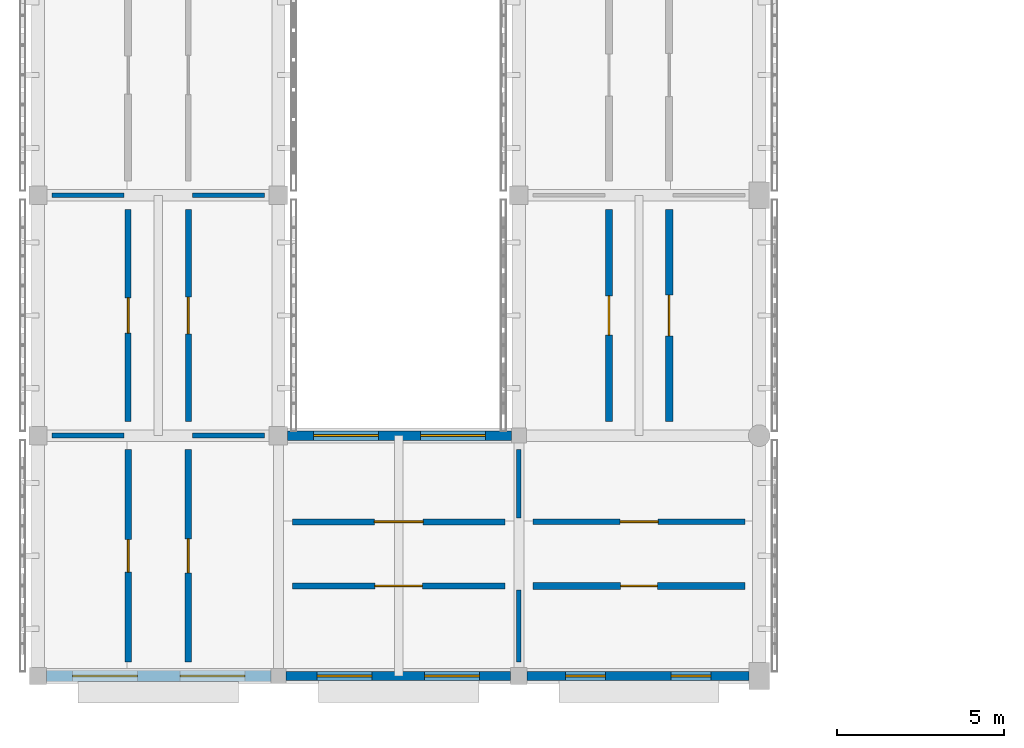
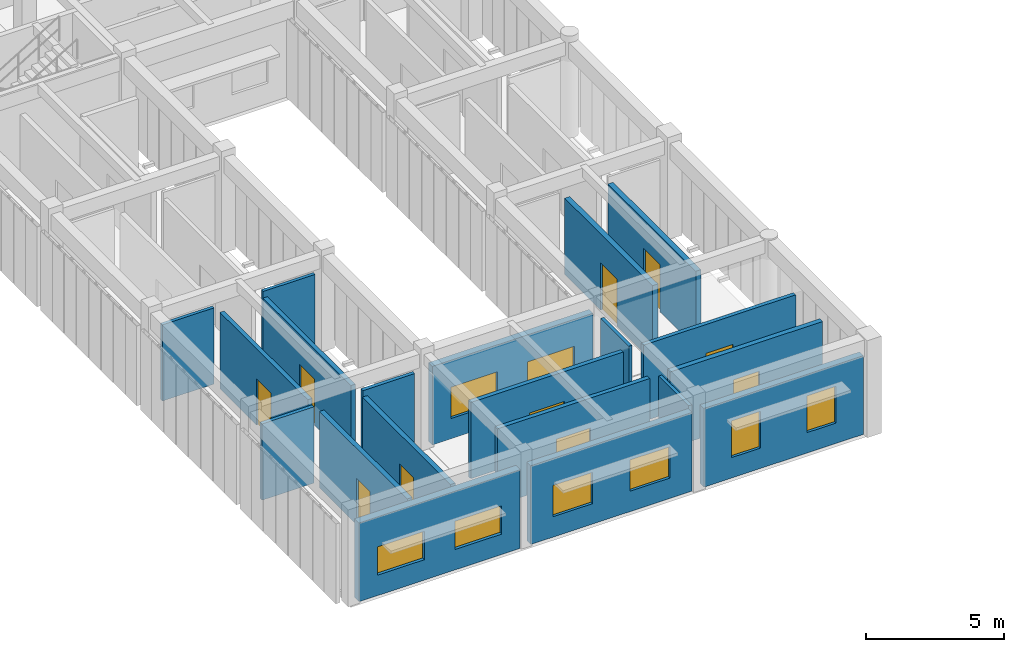
# One storey, part 119 of 171: 20 walls, 10 doors, 8 windows, 18 openings.
"""IFC4 building model written with IfcOpenShell, lengths in metres."""

from ifc_helpers import new_model, si_unit, direction, frame, frame_2d, origin, place, context, subcontext, project, spatial, rectangle, extrude, material, layer, layer_set, type_object, element, fill, save


model = new_model("IFC4")

# Units and contexts
model_context = context("Model", 3, precision=1e-05, world=origin(), true_north=direction((0.0, 1.0)))
body_context = subcontext(model_context, "Body", "Model", "MODEL_VIEW")
ifc_project = project(units=[si_unit("LENGTHUNIT", "METRE"), si_unit("AREAUNIT", "SQUARE_METRE"), si_unit("VOLUMEUNIT", "CUBIC_METRE"), si_unit("PLANEANGLEUNIT", "RADIAN"), si_unit("MASSUNIT", "GRAM", prefix="KILO")], contexts=[model_context])

# Site, building, storey
site_placement = place(None, origin())
site = spatial("IfcSite", under=ifc_project, at=site_placement, CompositionType="ELEMENT")
building_placement = place(site_placement, origin())
building = spatial("IfcBuilding", under=site, at=building_placement, Name="Aldebral Square Health Centre", CompositionType="ELEMENT")
storey_placement = place(building_placement, frame((0.0, 0.0, 4.5)))
storey = spatial("IfcBuildingStorey", under=building, at=storey_placement, Name="L01", CompositionType="ELEMENT", Elevation=4.5)

# Wall, openings, windows
ifc_material_1 = material(Name="Ochre mineral-rendered concrete C35/45 court wall", Category="concrete")
ifc_layer_1 = layer(ifc_material_1, 0.280029296875, Name="Ochre mineral-rendered concrete C35/45 court wall", Category="concrete")
ifc_layer_set_1 = layer_set([ifc_layer_1], Name="Ochre mineral-rendered concrete C35/45 court wall")
wall_type_1 = type_object("IfcWallType", Name="EW-OCH-280", PredefinedType="STANDARD", material=ifc_layer_set_1)
wall_1_placement = place(storey_placement, frame((7.425048828125, 0.0, 0.0), z_axis=(0.0, 0.0, 1.0), x_axis=(1.0, 0.0, 0.0)))
wall_1 = element("IfcWall", 1, at=wall_1_placement, inside=storey, type_object=wall_type_1, Name="L01 V6 exterior wall L01-V6-01-00-S", PredefinedType="STANDARD", context=body_context, shape_type="SweptSolid", body=[
    extrude(rectangle(XDim=6.724853515625, YDim=0.280029296875, at=frame_2d((3.3623046875, 0.0))), origin(), (0.0, 0.0, 1.0), 3.469970703125),
])
opening_1_placement = place(wall_1_placement, frame((0.925048828125, 0.0, 0.89990234375)))
opening_1 = element("IfcOpeningElement", 2, at=opening_1_placement, cuts=wall_1, Name="Opening W15", PredefinedType="OPENING", context=body_context, shape_type="SweptSolid", body=[
    extrude(rectangle(XDim=1.64990234375, YDim=1.3798828125, at=frame_2d((0.824951171875, 0.68994140625))), frame((0.0, 0.14990234375, 0.0), z_axis=(0.0, -1.0, 0.0), x_axis=(1.0, 0.0, 0.0)), (0.0, 0.0, 1.0), 0.300048828125),
])
opening_2_placement = place(wall_1_placement, frame((4.14990234375, 0.0, 0.89990234375)))
opening_2 = element("IfcOpeningElement", 3, at=opening_2_placement, cuts=wall_1, Name="Opening W15", PredefinedType="OPENING", context=body_context, shape_type="SweptSolid", body=[
    extrude(rectangle(XDim=1.64990234375, YDim=1.3798828125, at=frame_2d((0.824951171875, 0.68994140625))), frame((0.0, 0.14990234375, 0.0), z_axis=(0.0, -1.0, 0.0), x_axis=(1.0, 0.0, 0.0)), (0.0, 0.0, 1.0), 0.300048828125),
])
ifc_material_2 = material(Name="Thermally broken aluminium and low-E glass", Category="aluminium")
window_type_1 = type_object("IfcWindowType", Name="WIN-W15", PartitioningType="SINGLE_PANEL", PredefinedType="WINDOW", material=ifc_material_2)
window_1_placement = place(opening_1_placement, origin())
window_1 = element("IfcWindow", 4, at=window_1_placement, inside=storey, type_object=window_type_1, Name="L01 clinical window L01-V6-01-00-S.1", OverallHeight=1.3798828125, OverallWidth=1.64990234375, PartitioningType="SINGLE_PANEL", PredefinedType="WINDOW", context=body_context, shape_type="SweptSolid", body=[
    extrude(rectangle(XDim=1.64990234375, YDim=1.3798828125, at=frame_2d((0.824951171875, 0.68994140625))), frame((0.0, 0.030029296875, 0.0), z_axis=(0.0, -1.0, 0.0), x_axis=(1.0, 0.0, 0.0)), (0.0, 0.0, 1.0), 0.06005859375),
])
fill(opening_1, window_1)
window_2_placement = place(opening_2_placement, origin())
window_2 = element("IfcWindow", 5, at=window_2_placement, inside=storey, type_object=window_type_1, Name="L01 clinical window L01-V6-01-00-S.2", OverallHeight=1.3798828125, OverallWidth=1.64990234375, PartitioningType="SINGLE_PANEL", PredefinedType="WINDOW", context=body_context, shape_type="SweptSolid", body=[
    extrude(rectangle(XDim=1.64990234375, YDim=1.3798828125, at=frame_2d((0.824951171875, 0.68994140625))), frame((0.0, 0.030029296875, 0.0), z_axis=(0.0, -1.0, 0.0), x_axis=(1.0, 0.0, 0.0)), (0.0, 0.0, 1.0), 0.06005859375),
])
fill(opening_2, window_2)

wall_2_placement = place(storey_placement, frame((14.175048828125, 7.199951171875, 0.0), z_axis=(0.0, 0.0, 1.0), x_axis=(-1.0, 0.0, 0.0)))
wall_2 = element("IfcWall", 6, at=wall_2_placement, inside=storey, type_object=wall_type_1, Name="L01 V6 exterior wall L01-V6-01-00-N", PredefinedType="STANDARD", context=body_context, shape_type="SweptSolid", body=[
    extrude(rectangle(XDim=6.699951171875, YDim=0.280029296875, at=frame_2d((3.35009765625, 0.0))), origin(), (0.0, 0.0, 1.0), 3.469970703125),
])
opening_3_placement = place(wall_2_placement, frame((0.77490234375, 0.0, 0.89990234375)))
opening_3 = element("IfcOpeningElement", 7, at=opening_3_placement, cuts=wall_2, Name="Opening W17", PredefinedType="OPENING", context=body_context, shape_type="SweptSolid", body=[
    extrude(rectangle(XDim=1.949951171875, YDim=1.3798828125, at=frame_2d((0.97509765625, 0.68994140625))), frame((0.0, 0.14990234375, 0.0), z_axis=(0.0, -1.0, 0.0), x_axis=(1.0, 0.0, 0.0)), (0.0, 0.0, 1.0), 0.300048828125),
])
opening_4_placement = place(wall_2_placement, frame((3.97509765625, 0.0, 0.89990234375)))
opening_4 = element("IfcOpeningElement", 8, at=opening_4_placement, cuts=wall_2, Name="Opening W17", PredefinedType="OPENING", context=body_context, shape_type="SweptSolid", body=[
    extrude(rectangle(XDim=1.949951171875, YDim=1.3798828125, at=frame_2d((0.97509765625, 0.68994140625))), frame((0.0, 0.14990234375, 0.0), z_axis=(0.0, -1.0, 0.0), x_axis=(1.0, 0.0, 0.0)), (0.0, 0.0, 1.0), 0.300048828125),
])
window_type_2 = type_object("IfcWindowType", Name="WIN-W17", PartitioningType="SINGLE_PANEL", PredefinedType="WINDOW", material=ifc_material_2)
window_3_placement = place(opening_3_placement, origin())
window_3 = element("IfcWindow", 9, at=window_3_placement, inside=storey, type_object=window_type_2, Name="L01 clinical window L01-V6-01-00-N.1", OverallHeight=1.3798828125, OverallWidth=1.949951171875, PartitioningType="SINGLE_PANEL", PredefinedType="WINDOW", context=body_context, shape_type="SweptSolid", body=[
    extrude(rectangle(XDim=1.949951171875, YDim=1.3798828125, at=frame_2d((0.97509765625, 0.68994140625))), frame((0.0, 0.030029296875, 0.0), z_axis=(0.0, -1.0, 0.0), x_axis=(1.0, 0.0, 0.0)), (0.0, 0.0, 1.0), 0.06005859375),
])
fill(opening_3, window_3)
window_4_placement = place(opening_4_placement, origin())
window_4 = element("IfcWindow", 10, at=window_4_placement, inside=storey, type_object=window_type_2, Name="L01 clinical window L01-V6-01-00-N.2", OverallHeight=1.3798828125, OverallWidth=1.949951171875, PartitioningType="SINGLE_PANEL", PredefinedType="WINDOW", context=body_context, shape_type="SweptSolid", body=[
    extrude(rectangle(XDim=1.949951171875, YDim=1.3798828125, at=frame_2d((0.97509765625, 0.68994140625))), frame((0.0, 0.030029296875, 0.0), z_axis=(0.0, -1.0, 0.0), x_axis=(1.0, 0.0, 0.0)), (0.0, 0.0, 1.0), 0.06005859375),
])
fill(opening_4, window_4)

wall_3_placement = place(storey_placement, frame((14.64990234375, 0.0, 0.0), z_axis=(0.0, 0.0, 1.0), x_axis=(1.0, 0.0, 0.0)))
wall_3 = element("IfcWall", 11, at=wall_3_placement, inside=storey, type_object=wall_type_1, Name="L01 V6 exterior wall L01-V6-02-00-S", PredefinedType="STANDARD", context=body_context, shape_type="SweptSolid", body=[
    extrude(rectangle(XDim=6.650146484375, YDim=0.280029296875, at=frame_2d((3.3251953125, 0.0))), origin(), (0.0, 0.0, 1.0), 3.469970703125),
])
opening_5_placement = place(wall_3_placement, frame((1.14990234375, 0.0, 0.89990234375)))
opening_5 = element("IfcOpeningElement", 12, at=opening_5_placement, cuts=wall_3, Name="Opening W30", PredefinedType="OPENING", context=body_context, shape_type="SweptSolid", body=[
    extrude(rectangle(XDim=1.199951171875, YDim=1.6201171875, at=frame_2d((0.60009765625, 0.81005859375))), frame((0.0, 0.14990234375, 0.0), z_axis=(0.0, -1.0, 0.0), x_axis=(1.0, 0.0, 0.0)), (0.0, 0.0, 1.0), 0.300048828125),
])
opening_6_placement = place(wall_3_placement, frame((4.300048828125, 0.0, 0.89990234375)))
opening_6 = element("IfcOpeningElement", 13, at=opening_6_placement, cuts=wall_3, Name="Opening W30", PredefinedType="OPENING", context=body_context, shape_type="SweptSolid", body=[
    extrude(rectangle(XDim=1.199951171875, YDim=1.6201171875, at=frame_2d((0.60009765625, 0.81005859375))), frame((0.0, 0.14990234375, 0.0), z_axis=(0.0, -1.0, 0.0), x_axis=(1.0, 0.0, 0.0)), (0.0, 0.0, 1.0), 0.300048828125),
])
window_type_3 = type_object("IfcWindowType", Name="WIN-W30", PartitioningType="SINGLE_PANEL", PredefinedType="WINDOW", material=ifc_material_2)
window_5_placement = place(opening_5_placement, origin())
window_5 = element("IfcWindow", 14, at=window_5_placement, inside=storey, type_object=window_type_3, Name="L01 clinical window L01-V6-02-00-S.1", OverallHeight=1.6201171875, OverallWidth=1.199951171875, PartitioningType="SINGLE_PANEL", PredefinedType="WINDOW", context=body_context, shape_type="SweptSolid", body=[
    extrude(rectangle(XDim=1.199951171875, YDim=1.6201171875, at=frame_2d((0.60009765625, 0.81005859375))), frame((0.0, 0.030029296875, 0.0), z_axis=(0.0, -1.0, 0.0), x_axis=(1.0, 0.0, 0.0)), (0.0, 0.0, 1.0), 0.06005859375),
])
fill(opening_5, window_5)
window_6_placement = place(opening_6_placement, origin())
window_6 = element("IfcWindow", 15, at=window_6_placement, inside=storey, type_object=window_type_3, Name="L01 clinical window L01-V6-02-00-S.2", OverallHeight=1.6201171875, OverallWidth=1.199951171875, PartitioningType="SINGLE_PANEL", PredefinedType="WINDOW", context=body_context, shape_type="SweptSolid", body=[
    extrude(rectangle(XDim=1.199951171875, YDim=1.6201171875, at=frame_2d((0.60009765625, 0.81005859375))), frame((0.0, 0.030029296875, 0.0), z_axis=(0.0, -1.0, 0.0), x_axis=(1.0, 0.0, 0.0)), (0.0, 0.0, 1.0), 0.06005859375),
])
fill(opening_6, window_6)

ifc_material_3 = material(Name="Precast concrete C40/50 insulated panel", Category="concrete")
ifc_layer_2 = layer(ifc_material_3, 0.320068359375, Name="Precast concrete C40/50 insulated panel", Category="concrete")
ifc_layer_set_2 = layer_set([ifc_layer_2], Name="Precast concrete C40/50 insulated panel")
wall_type_2 = type_object("IfcWallType", Name="EW-PRE-320", PredefinedType="STANDARD", material=ifc_layer_set_2)
wall_4_placement = place(storey_placement, frame((0.25, 0.0, 0.0), z_axis=(0.0, 0.0, 1.0), x_axis=(1.0, 0.0, 0.0)))
wall_4 = element("IfcWall", 16, at=wall_4_placement, inside=storey, type_object=wall_type_2, Name="L01 V6 exterior wall L01-V6-00-00-S", PredefinedType="STANDARD", context=body_context, shape_type="SweptSolid", body=[
    extrude(rectangle(XDim=6.72509765625, YDim=0.320068359375, at=frame_2d((3.362548828125, 0.0))), origin(), (0.0, 0.0, 1.0), 3.469970703125),
])
opening_7_placement = place(wall_4_placement, frame((0.77490234375, 0.0, 0.89990234375)))
opening_7 = element("IfcOpeningElement", 17, at=opening_7_placement, cuts=wall_4, Name="Opening W08", PredefinedType="OPENING", context=body_context, shape_type="SweptSolid", body=[
    extrude(rectangle(XDim=1.949951171875, YDim=1.25, at=frame_2d((0.97509765625, 0.625))), frame((0.0, 0.169921875, 0.0), z_axis=(0.0, -1.0, 0.0), x_axis=(1.0, 0.0, 0.0)), (0.0, 0.0, 1.0), 0.340087890625),
])
opening_8_placement = place(wall_4_placement, frame((4.0, 0.0, 0.89990234375)))
opening_8 = element("IfcOpeningElement", 18, at=opening_8_placement, cuts=wall_4, Name="Opening W08", PredefinedType="OPENING", context=body_context, shape_type="SweptSolid", body=[
    extrude(rectangle(XDim=1.949951171875, YDim=1.25, at=frame_2d((0.97509765625, 0.625))), frame((0.0, 0.169921875, 0.0), z_axis=(0.0, -1.0, 0.0), x_axis=(1.0, 0.0, 0.0)), (0.0, 0.0, 1.0), 0.340087890625),
])
window_type_4 = type_object("IfcWindowType", Name="WIN-W08", PartitioningType="SINGLE_PANEL", PredefinedType="WINDOW", material=ifc_material_2)
window_7_placement = place(opening_7_placement, origin())
window_7 = element("IfcWindow", 19, at=window_7_placement, inside=storey, type_object=window_type_4, Name="L01 clinical window L01-V6-00-00-S.1", OverallHeight=1.25, OverallWidth=1.949951171875, PartitioningType="SINGLE_PANEL", PredefinedType="WINDOW", context=body_context, shape_type="SweptSolid", body=[
    extrude(rectangle(XDim=1.949951171875, YDim=1.25, at=frame_2d((0.97509765625, 0.625))), frame((0.0, 0.030029296875, 0.0), z_axis=(0.0, -1.0, 0.0), x_axis=(1.0, 0.0, 0.0)), (0.0, 0.0, 1.0), 0.06005859375),
])
fill(opening_7, window_7)
window_8_placement = place(opening_8_placement, origin())
window_8 = element("IfcWindow", 20, at=window_8_placement, inside=storey, type_object=window_type_4, Name="L01 clinical window L01-V6-00-00-S.2", OverallHeight=1.25, OverallWidth=1.949951171875, PartitioningType="SINGLE_PANEL", PredefinedType="WINDOW", context=body_context, shape_type="SweptSolid", body=[
    extrude(rectangle(XDim=1.949951171875, YDim=1.25, at=frame_2d((0.97509765625, 0.625))), frame((0.0, 0.030029296875, 0.0), z_axis=(0.0, -1.0, 0.0), x_axis=(1.0, 0.0, 0.0)), (0.0, 0.0, 1.0), 0.06005859375),
])
fill(opening_8, window_8)

# Wall, opening, door
ifc_material_4 = material(Name="Concrete C35/45 compartment wall", Category="concrete")
ifc_layer_3 = layer(ifc_material_4, 0.199951171875, Name="Concrete C35/45 compartment wall", Category="concrete")
ifc_layer_set_3 = layer_set([ifc_layer_3], Name="Concrete C35/45 compartment wall")
wall_type_3 = type_object("IfcWallType", Name="IW-CMP-200", PredefinedType="SOLIDWALL", material=ifc_layer_set_3)
wall_5_placement = place(storey_placement, frame((2.699951171875, 0.419921875, 0.0), z_axis=(0.0, 0.0, 1.0), x_axis=(0.0, 1.0, 0.0)))
wall_5 = element("IfcWall", 21, at=wall_5_placement, inside=storey, type_object=wall_type_3, Name="L01 Community Room 1.1W corridor wall", PredefinedType="SOLIDWALL", context=body_context, shape_type="SweptSolid", body=[
    extrude(rectangle(XDim=6.360107421875, YDim=0.199951171875, at=frame_2d((3.18017578125, 0.0))), origin(), (0.0, 0.0, 1.0), 3.360107421875),
])
opening_9_placement = place(wall_5_placement, frame((2.68994140625, 0.0, 0.0)))
opening_9 = element("IfcOpeningElement", 22, at=opening_9_placement, cuts=wall_5, Name="Opening D-0362", PredefinedType="OPENING", context=body_context, shape_type="SweptSolid", body=[
    extrude(rectangle(XDim=0.97998046875, YDim=2.0400390625, at=frame_2d((0.489990234375, 1.02001953125))), frame((0.0, 0.10986328125, 0.0), z_axis=(0.0, -1.0, 0.0), x_axis=(1.0, 0.0, 0.0)), (0.0, 0.0, 1.0), 0.219970703125),
])
ifc_material_5 = material(Name="Clinical suite fire door")
door_type_1 = type_object("IfcDoorType", Name="ID-EXD-02", OperationType="NOTDEFINED", PredefinedType="DOOR", material=ifc_material_5)
door_1_placement = place(opening_9_placement, origin())
door_1 = element("IfcDoor", 23, at=door_1_placement, inside=storey, type_object=door_type_1, Name="L01 Community Room 1.1W door", OperationType="SINGLE_SWING_LEFT", OverallHeight=2.0400390625, OverallWidth=0.97998046875, PredefinedType="DOOR", context=body_context, shape_type="SweptSolid", body=[
    extrude(rectangle(XDim=0.97998046875, YDim=2.0400390625, at=frame_2d((0.489990234375, 1.02001953125))), frame((0.0, 0.02490234375, 0.0), z_axis=(0.0, -1.0, 0.0), x_axis=(1.0, 0.0, 0.0)), (0.0, 0.0, 1.0), 0.050048828125),
])
fill(opening_9, door_1)

wall_6_placement = place(storey_placement, frame((4.5, 0.419921875, 0.0), z_axis=(0.0, 0.0, 1.0), x_axis=(0.0, 1.0, 0.0)))
wall_6 = element("IfcWall", 24, at=wall_6_placement, inside=storey, type_object=wall_type_3, Name="L01 Health Education Seminar 1.1E corridor wall", PredefinedType="SOLIDWALL", context=body_context, shape_type="SweptSolid", body=[
    extrude(rectangle(XDim=6.360107421875, YDim=0.199951171875, at=frame_2d((3.18017578125, 0.0))), origin(), (0.0, 0.0, 1.0), 3.360107421875),
])
opening_10_placement = place(wall_6_placement, frame((2.669921875, 0.0, 0.0)))
opening_10 = element("IfcOpeningElement", 25, at=opening_10_placement, cuts=wall_6, Name="Opening D-0363", PredefinedType="OPENING", context=body_context, shape_type="SweptSolid", body=[
    extrude(rectangle(XDim=1.02001953125, YDim=2.0400390625, at=frame_2d((0.510009765625, 1.02001953125))), frame((0.0, 0.10986328125, 0.0), z_axis=(0.0, -1.0, 0.0), x_axis=(1.0, 0.0, 0.0)), (0.0, 0.0, 1.0), 0.219970703125),
])
door_type_2 = type_object("IfcDoorType", Name="ID-EXD-03", OperationType="NOTDEFINED", PredefinedType="DOOR", material=ifc_material_5)
door_2_placement = place(opening_10_placement, origin())
door_2 = element("IfcDoor", 26, at=door_2_placement, inside=storey, type_object=door_type_2, Name="L01 Health Education Seminar 1.1E door", OperationType="SINGLE_SWING_RIGHT", OverallHeight=2.0400390625, OverallWidth=1.02001953125, PredefinedType="DOOR", context=body_context, shape_type="SweptSolid", body=[
    extrude(rectangle(XDim=1.02001953125, YDim=2.0400390625, at=frame_2d((0.510009765625, 1.02001953125))), frame((0.0, 0.02490234375, 0.0), z_axis=(0.0, -1.0, 0.0), x_axis=(1.0, 0.0, 0.0)), (0.0, 0.0, 1.0), 0.050048828125),
])
fill(opening_10, door_2)

ifc_layer_4 = layer(ifc_material_4, 0.219970703125, Name="Concrete C35/45 compartment wall", Category="concrete")
ifc_layer_set_4 = layer_set([ifc_layer_4], Name="Concrete C35/45 compartment wall")
wall_type_4 = type_object("IfcWallType", Name="IW-CMP-220", PredefinedType="SOLIDWALL", material=ifc_layer_set_4)
wall_7_placement = place(storey_placement, frame((17.10009765625, 7.6201171875, 0.0), z_axis=(0.0, 0.0, 1.0), x_axis=(0.0, 1.0, 0.0)))
wall_7 = element("IfcWall", 27, at=wall_7_placement, inside=storey, type_object=wall_type_4, Name="L01 Health Education Seminar 3.2W corridor wall", PredefinedType="SOLIDWALL", context=body_context, shape_type="SweptSolid", body=[
    extrude(rectangle(XDim=6.35986328125, YDim=0.219970703125, at=frame_2d((3.179931640625, 0.0))), origin(), (0.0, 0.0, 1.0), 3.360107421875),
])
opening_11_placement = place(wall_7_placement, frame((2.590087890625, 0.0, 0.0)))
opening_11 = element("IfcOpeningElement", 28, at=opening_11_placement, cuts=wall_7, Name="Opening D-0383", PredefinedType="OPENING", context=body_context, shape_type="SweptSolid", body=[
    extrude(rectangle(XDim=1.179931640625, YDim=2.090087890625, at=frame_2d((0.58984375, 1.044921875))), frame((0.0, 0.1201171875, 0.0), z_axis=(0.0, -1.0, 0.0), x_axis=(1.0, 0.0, 0.0)), (0.0, 0.0, 1.0), 0.239990234375),
])
door_type_3 = type_object("IfcDoorType", Name="ID-EXD-23", OperationType="NOTDEFINED", PredefinedType="DOOR", material=ifc_material_5)
door_3_placement = place(opening_11_placement, origin())
door_3 = element("IfcDoor", 29, at=door_3_placement, inside=storey, type_object=door_type_3, Name="L01 Health Education Seminar 3.2W door", OperationType="SINGLE_SWING_RIGHT", OverallHeight=2.090087890625, OverallWidth=1.179931640625, PredefinedType="DOOR", context=body_context, shape_type="SweptSolid", body=[
    extrude(rectangle(XDim=1.179931640625, YDim=2.090087890625, at=frame_2d((0.58984375, 1.044921875))), frame((0.0, 0.02490234375, 0.0), z_axis=(0.0, -1.0, 0.0), x_axis=(1.0, 0.0, 0.0)), (0.0, 0.0, 1.0), 0.050048828125),
])
fill(opening_11, door_3)

wall_8_placement = place(storey_placement, frame((18.89990234375, 7.6201171875, 0.0), z_axis=(0.0, 0.0, 1.0), x_axis=(0.0, 1.0, 0.0)))
wall_8 = element("IfcWall", 30, at=wall_8_placement, inside=storey, type_object=wall_type_4, Name="L01 Nutrition Studio 3.2E corridor wall", PredefinedType="SOLIDWALL", context=body_context, shape_type="SweptSolid", body=[
    extrude(rectangle(XDim=6.35986328125, YDim=0.219970703125, at=frame_2d((3.179931640625, 0.0))), origin(), (0.0, 0.0, 1.0), 3.360107421875),
])
opening_12_placement = place(wall_8_placement, frame((2.570068359375, 0.0, 0.0)))
opening_12 = element("IfcOpeningElement", 31, at=opening_12_placement, cuts=wall_8, Name="Opening D-0384", PredefinedType="OPENING", context=body_context, shape_type="SweptSolid", body=[
    extrude(rectangle(XDim=1.219970703125, YDim=2.090087890625, at=frame_2d((0.60986328125, 1.044921875))), frame((0.0, 0.1201171875, 0.0), z_axis=(0.0, -1.0, 0.0), x_axis=(1.0, 0.0, 0.0)), (0.0, 0.0, 1.0), 0.239990234375),
])
door_type_4 = type_object("IfcDoorType", Name="ID-EXD-24", OperationType="NOTDEFINED", PredefinedType="DOOR", material=ifc_material_5)
door_4_placement = place(opening_12_placement, origin())
door_4 = element("IfcDoor", 32, at=door_4_placement, inside=storey, type_object=door_type_4, Name="L01 Nutrition Studio 3.2E door", OperationType="SINGLE_SWING_LEFT", OverallHeight=2.090087890625, OverallWidth=1.219970703125, PredefinedType="DOOR", context=body_context, shape_type="SweptSolid", body=[
    extrude(rectangle(XDim=1.219970703125, YDim=2.090087890625, at=frame_2d((0.60986328125, 1.044921875))), frame((0.0, 0.02490234375, 0.0), z_axis=(0.0, -1.0, 0.0), x_axis=(1.0, 0.0, 0.0)), (0.0, 0.0, 1.0), 0.050048828125),
])
fill(opening_12, door_4)

ifc_material_6 = material(Name="Fire-rated acoustic gypsum partition")
ifc_layer_5 = layer(ifc_material_6, 0.1650390625, Name="Fire-rated acoustic gypsum partition")
ifc_layer_set_5 = layer_set([ifc_layer_5], Name="Fire-rated acoustic gypsum partition")
wall_type_5 = type_object("IfcWallType", Name="IW-COR-165", PredefinedType="PARTITIONING", material=ifc_layer_set_5)
wall_9_placement = place(storey_placement, frame((14.820068359375, 4.6201171875, 0.0), z_axis=(0.0, 0.0, 1.0), x_axis=(1.0, 0.0, 0.0)))
wall_9 = element("IfcWall", 33, at=wall_9_placement, inside=storey, type_object=wall_type_5, Name="L01 Community Room 3.1N corridor wall", PredefinedType="PARTITIONING", context=body_context, shape_type="SweptSolid", body=[
    extrude(rectangle(XDim=6.35986328125, YDim=0.1650390625, at=frame_2d((3.179931640625, 0.0))), origin(), (0.0, 0.0, 1.0), 3.360107421875),
])
opening_13_placement = place(wall_9_placement, frame((2.610107421875, 0.0, 0.0)))
opening_13 = element("IfcOpeningElement", 34, at=opening_13_placement, cuts=wall_9, Name="Opening D-0382", PredefinedType="OPENING", context=body_context, shape_type="SweptSolid", body=[
    extrude(rectangle(XDim=1.139892578125, YDim=2.090087890625, at=frame_2d((0.56982421875, 1.044921875))), frame((0.0, 0.092529296875, 0.0), z_axis=(0.0, -1.0, 0.0), x_axis=(1.0, 0.0, 0.0)), (0.0, 0.0, 1.0), 0.18505859375),
])
door_type_5 = type_object("IfcDoorType", Name="ID-EXD-22", OperationType="NOTDEFINED", PredefinedType="DOOR", material=ifc_material_5)
door_5_placement = place(opening_13_placement, origin())
door_5 = element("IfcDoor", 35, at=door_5_placement, inside=storey, type_object=door_type_5, Name="L01 Community Room 3.1N door", OperationType="SINGLE_SWING_LEFT", OverallHeight=2.090087890625, OverallWidth=1.139892578125, PredefinedType="DOOR", context=body_context, shape_type="SweptSolid", body=[
    extrude(rectangle(XDim=1.139892578125, YDim=2.090087890625, at=frame_2d((0.56982421875, 1.044921875))), frame((0.0, 0.02490234375, 0.0), z_axis=(0.0, -1.0, 0.0), x_axis=(1.0, 0.0, 0.0)), (0.0, 0.0, 1.0), 0.050048828125),
])
fill(opening_13, door_5)

ifc_layer_6 = layer(ifc_material_6, 0.179931640625, Name="Fire-rated acoustic gypsum partition")
ifc_layer_set_6 = layer_set([ifc_layer_6], Name="Fire-rated acoustic gypsum partition")
wall_type_6 = type_object("IfcWallType", Name="IW-COR-180", PredefinedType="PARTITIONING", material=ifc_layer_set_6)
wall_10_placement = place(storey_placement, frame((2.699951171875, 7.6201171875, 0.0), z_axis=(0.0, 0.0, 1.0), x_axis=(0.0, 1.0, 0.0)))
wall_10 = element("IfcWall", 36, at=wall_10_placement, inside=storey, type_object=wall_type_6, Name="L01 Nutrition Studio 1.2W corridor wall", PredefinedType="PARTITIONING", context=body_context, shape_type="SweptSolid", body=[
    extrude(rectangle(XDim=6.35986328125, YDim=0.179931640625, at=frame_2d((3.179931640625, 0.0))), origin(), (0.0, 0.0, 1.0), 3.360107421875),
])
opening_14_placement = place(wall_10_placement, frame((2.64990234375, 0.0, 0.0)))
opening_14 = element("IfcOpeningElement", 37, at=opening_14_placement, cuts=wall_10, Name="Opening D-0364", PredefinedType="OPENING", context=body_context, shape_type="SweptSolid", body=[
    extrude(rectangle(XDim=1.06005859375, YDim=2.0400390625, at=frame_2d((0.530029296875, 1.02001953125))), frame((0.0, 0.10009765625, 0.0), z_axis=(0.0, -1.0, 0.0), x_axis=(1.0, 0.0, 0.0)), (0.0, 0.0, 1.0), 0.199951171875),
])
door_type_6 = type_object("IfcDoorType", Name="ID-EXD-04", OperationType="NOTDEFINED", PredefinedType="DOOR", material=ifc_material_5)
door_6_placement = place(opening_14_placement, origin())
door_6 = element("IfcDoor", 38, at=door_6_placement, inside=storey, type_object=door_type_6, Name="L01 Nutrition Studio 1.2W door", OperationType="SINGLE_SWING_LEFT", OverallHeight=2.0400390625, OverallWidth=1.06005859375, PredefinedType="DOOR", context=body_context, shape_type="SweptSolid", body=[
    extrude(rectangle(XDim=1.06005859375, YDim=2.0400390625, at=frame_2d((0.530029296875, 1.02001953125))), frame((0.0, 0.02490234375, 0.0), z_axis=(0.0, -1.0, 0.0), x_axis=(1.0, 0.0, 0.0)), (0.0, 0.0, 1.0), 0.050048828125),
])
fill(opening_14, door_6)

wall_11_placement = place(storey_placement, frame((4.5, 7.6201171875, 0.0), z_axis=(0.0, 0.0, 1.0), x_axis=(0.0, 1.0, 0.0)))
wall_11 = element("IfcWall", 39, at=wall_11_placement, inside=storey, type_object=wall_type_6, Name="L01 Community Health Library 1.2E corridor wall", PredefinedType="PARTITIONING", context=body_context, shape_type="SweptSolid", body=[
    extrude(rectangle(XDim=6.35986328125, YDim=0.179931640625, at=frame_2d((3.179931640625, 0.0))), origin(), (0.0, 0.0, 1.0), 3.360107421875),
])
opening_15_placement = place(wall_11_placement, frame((2.6298828125, 0.0, 0.0)))
opening_15 = element("IfcOpeningElement", 40, at=opening_15_placement, cuts=wall_11, Name="Opening D-0365", PredefinedType="OPENING", context=body_context, shape_type="SweptSolid", body=[
    extrude(rectangle(XDim=1.10009765625, YDim=2.0400390625, at=frame_2d((0.550048828125, 1.02001953125))), frame((0.0, 0.10009765625, 0.0), z_axis=(0.0, -1.0, 0.0), x_axis=(1.0, 0.0, 0.0)), (0.0, 0.0, 1.0), 0.199951171875),
])
door_type_7 = type_object("IfcDoorType", Name="ID-EXD-05", OperationType="NOTDEFINED", PredefinedType="DOOR", material=ifc_material_5)
door_7_placement = place(opening_15_placement, origin())
door_7 = element("IfcDoor", 41, at=door_7_placement, inside=storey, type_object=door_type_7, Name="L01 Community Health Library 1.2E door", OperationType="SINGLE_SWING_RIGHT", OverallHeight=2.0400390625, OverallWidth=1.10009765625, PredefinedType="DOOR", context=body_context, shape_type="SweptSolid", body=[
    extrude(rectangle(XDim=1.10009765625, YDim=2.0400390625, at=frame_2d((0.550048828125, 1.02001953125))), frame((0.0, 0.02490234375, 0.0), z_axis=(0.0, -1.0, 0.0), x_axis=(1.0, 0.0, 0.0)), (0.0, 0.0, 1.0), 0.050048828125),
])
fill(opening_15, door_7)

wall_12_placement = place(storey_placement, frame((7.6201171875, 2.699951171875, 0.0), z_axis=(0.0, 0.0, 1.0), x_axis=(1.0, 0.0, 0.0)))
wall_12 = element("IfcWall", 42, at=wall_12_placement, inside=storey, type_object=wall_type_6, Name="L01 Health Education Seminar 2.1S corridor wall", PredefinedType="PARTITIONING", context=body_context, shape_type="SweptSolid", body=[
    extrude(rectangle(XDim=6.35986328125, YDim=0.179931640625, at=frame_2d((3.179931640625, 0.0))), origin(), (0.0, 0.0, 1.0), 3.360107421875),
])
opening_16_placement = place(wall_12_placement, frame((2.469970703125, 0.0, 0.0)))
opening_16 = element("IfcOpeningElement", 43, at=opening_16_placement, cuts=wall_12, Name="Opening D-0373", PredefinedType="OPENING", context=body_context, shape_type="SweptSolid", body=[
    extrude(rectangle(XDim=1.419921875, YDim=2.0400390625, at=frame_2d((0.7099609375, 1.02001953125))), frame((0.0, 0.10009765625, 0.0), z_axis=(0.0, -1.0, 0.0), x_axis=(1.0, 0.0, 0.0)), (0.0, 0.0, 1.0), 0.199951171875),
])
door_type_8 = type_object("IfcDoorType", Name="ID-EXD-13", OperationType="NOTDEFINED", PredefinedType="DOOR", material=ifc_material_5)
door_8_placement = place(opening_16_placement, origin())
door_8 = element("IfcDoor", 44, at=door_8_placement, inside=storey, type_object=door_type_8, Name="L01 Health Education Seminar 2.1S door", OperationType="SINGLE_SWING_RIGHT", OverallHeight=2.0400390625, OverallWidth=1.419921875, PredefinedType="DOOR", context=body_context, shape_type="SweptSolid", body=[
    extrude(rectangle(XDim=1.419921875, YDim=2.0400390625, at=frame_2d((0.7099609375, 1.02001953125))), frame((0.0, 0.02490234375, 0.0), z_axis=(0.0, -1.0, 0.0), x_axis=(1.0, 0.0, 0.0)), (0.0, 0.0, 1.0), 0.050048828125),
])
fill(opening_16, door_8)

wall_13_placement = place(storey_placement, frame((7.6201171875, 4.6201171875, 0.0), z_axis=(0.0, 0.0, 1.0), x_axis=(1.0, 0.0, 0.0)))
wall_13 = element("IfcWall", 45, at=wall_13_placement, inside=storey, type_object=wall_type_6, Name="L01 Nutrition Studio 2.1N corridor wall", PredefinedType="PARTITIONING", context=body_context, shape_type="SweptSolid", body=[
    extrude(rectangle(XDim=6.35986328125, YDim=0.179931640625, at=frame_2d((3.179931640625, 0.0))), origin(), (0.0, 0.0, 1.0), 3.360107421875),
])
opening_17_placement = place(wall_13_placement, frame((2.449951171875, 0.0, 0.0)))
opening_17 = element("IfcOpeningElement", 46, at=opening_17_placement, cuts=wall_13, Name="Opening D-0374", PredefinedType="OPENING", context=body_context, shape_type="SweptSolid", body=[
    extrude(rectangle(XDim=1.4599609375, YDim=2.0400390625, at=frame_2d((0.72998046875, 1.02001953125))), frame((0.0, 0.10009765625, 0.0), z_axis=(0.0, -1.0, 0.0), x_axis=(1.0, 0.0, 0.0)), (0.0, 0.0, 1.0), 0.199951171875),
])
door_type_9 = type_object("IfcDoorType", Name="ID-EXD-14", OperationType="NOTDEFINED", PredefinedType="DOOR", material=ifc_material_5)
door_9_placement = place(opening_17_placement, origin())
door_9 = element("IfcDoor", 47, at=door_9_placement, inside=storey, type_object=door_type_9, Name="L01 Nutrition Studio 2.1N door", OperationType="SINGLE_SWING_LEFT", OverallHeight=2.0400390625, OverallWidth=1.4599609375, PredefinedType="DOOR", context=body_context, shape_type="SweptSolid", body=[
    extrude(rectangle(XDim=1.4599609375, YDim=2.0400390625, at=frame_2d((0.72998046875, 1.02001953125))), frame((0.0, 0.02490234375, 0.0), z_axis=(0.0, -1.0, 0.0), x_axis=(1.0, 0.0, 0.0)), (0.0, 0.0, 1.0), 0.050048828125),
])
fill(opening_17, door_9)

ifc_material_7 = material(Name="Moisture-resistant sanitary chase wall")
ifc_layer_7 = layer(ifc_material_7, 0.2099609375, Name="Moisture-resistant sanitary chase wall")
ifc_layer_set_7 = layer_set([ifc_layer_7], Name="Moisture-resistant sanitary chase wall")
wall_type_7 = type_object("IfcWallType", Name="IW-PLB-210", PredefinedType="PLUMBINGWALL", material=ifc_layer_set_7)
wall_14_placement = place(storey_placement, frame((14.820068359375, 2.699951171875, 0.0), z_axis=(0.0, 0.0, 1.0), x_axis=(1.0, 0.0, 0.0)))
wall_14 = element("IfcWall", 48, at=wall_14_placement, inside=storey, type_object=wall_type_7, Name="L01 Accessible WC 3.1S corridor wall", PredefinedType="PLUMBINGWALL", context=body_context, shape_type="SweptSolid", body=[
    extrude(rectangle(XDim=6.35986328125, YDim=0.2099609375, at=frame_2d((3.179931640625, 0.0))), origin(), (0.0, 0.0, 1.0), 3.360107421875),
])
opening_18_placement = place(wall_14_placement, frame((2.6298828125, 0.0, 0.0)))
opening_18 = element("IfcOpeningElement", 49, at=opening_18_placement, cuts=wall_14, Name="Opening D-0381", PredefinedType="OPENING", context=body_context, shape_type="SweptSolid", body=[
    extrude(rectangle(XDim=1.10009765625, YDim=2.090087890625, at=frame_2d((0.550048828125, 1.044921875))), frame((0.0, 0.114990234375, 0.0), z_axis=(0.0, -1.0, 0.0), x_axis=(1.0, 0.0, 0.0)), (0.0, 0.0, 1.0), 0.22998046875),
])
door_type_10 = type_object("IfcDoorType", Name="ID-EXD-21", OperationType="NOTDEFINED", PredefinedType="DOOR", material=ifc_material_5)
door_10_placement = place(opening_18_placement, origin())
door_10 = element("IfcDoor", 50, at=door_10_placement, inside=storey, type_object=door_type_10, Name="L01 Accessible WC 3.1S door", OperationType="SINGLE_SWING_RIGHT", OverallHeight=2.090087890625, OverallWidth=1.10009765625, PredefinedType="DOOR", context=body_context, shape_type="SweptSolid", body=[
    extrude(rectangle(XDim=1.10009765625, YDim=2.090087890625, at=frame_2d((0.550048828125, 1.044921875))), frame((0.0, 0.02490234375, 0.0), z_axis=(0.0, -1.0, 0.0), x_axis=(1.0, 0.0, 0.0)), (0.0, 0.0, 1.0), 0.050048828125),
])
fill(opening_18, door_10)

# Walls
ifc_material_8 = material(Name="Acoustic clinical gypsum partition")
ifc_layer_8 = layer(ifc_material_8, 0.135009765625, Name="Acoustic clinical gypsum partition")
ifc_layer_set_8 = layer_set([ifc_layer_8], Name="Acoustic clinical gypsum partition")
wall_type_8 = type_object("IfcWallType", Name="IW-PRT-135", PredefinedType="PARTITIONING", material=ifc_layer_set_8)
wall_15_placement = place(storey_placement, frame((0.419921875, 14.39990234375, 0.0), z_axis=(0.0, 0.0, 1.0), x_axis=(1.0, 0.0, 0.0)))
element("IfcWall", 51, at=wall_15_placement, inside=storey, type_object=wall_type_8, Name="L01 Nutrition Studio 1.2W demising partition", PredefinedType="PARTITIONING", context=body_context, shape_type="SweptSolid", body=[
    extrude(rectangle(XDim=2.16015625, YDim=0.135009765625, at=frame_2d((1.080078125, 0.0))), origin(), (0.0, 0.0, 1.0), 3.360107421875),
])
wall_16_placement = place(storey_placement, frame((4.6201171875, 14.39990234375, 0.0), z_axis=(0.0, 0.0, 1.0), x_axis=(1.0, 0.0, 0.0)))
element("IfcWall", 52, at=wall_16_placement, inside=storey, type_object=wall_type_8, Name="L01 Community Health Library 1.2E demising partition", PredefinedType="PARTITIONING", context=body_context, shape_type="SweptSolid", body=[
    extrude(rectangle(XDim=2.159912109375, YDim=0.135009765625, at=frame_2d((1.080078125, 0.0))), origin(), (0.0, 0.0, 1.0), 3.360107421875),
])
wall_17_placement = place(storey_placement, frame((14.39990234375, 0.419921875, 0.0), z_axis=(0.0, 0.0, 1.0), x_axis=(0.0, 1.0, 0.0)))
element("IfcWall", 53, at=wall_17_placement, inside=storey, type_object=wall_type_8, Name="L01 Health Education Seminar 2.1S demising partition", PredefinedType="PARTITIONING", context=body_context, shape_type="SweptSolid", body=[
    extrude(rectangle(XDim=2.16015625, YDim=0.135009765625, at=frame_2d((1.080078125, 0.0))), origin(), (0.0, 0.0, 1.0), 3.360107421875),
])
wall_18_placement = place(storey_placement, frame((14.39990234375, 4.739990234375, 0.0), z_axis=(0.0, 0.0, 1.0), x_axis=(0.0, 1.0, 0.0)))
element("IfcWall", 54, at=wall_18_placement, inside=storey, type_object=wall_type_8, Name="L01 Nutrition Studio 2.1N demising partition", PredefinedType="PARTITIONING", context=body_context, shape_type="SweptSolid", body=[
    extrude(rectangle(XDim=2.0400390625, YDim=0.135009765625, at=frame_2d((1.02001953125, 0.0))), origin(), (0.0, 0.0, 1.0), 3.360107421875),
])
ifc_layer_9 = layer(ifc_material_8, 0.14990234375, Name="Acoustic clinical gypsum partition")
ifc_layer_set_9 = layer_set([ifc_layer_9], Name="Acoustic clinical gypsum partition")
wall_type_9 = type_object("IfcWallType", Name="IW-PRT-150", PredefinedType="PARTITIONING", material=ifc_layer_set_9)
wall_19_placement = place(storey_placement, frame((0.419921875, 7.199951171875, 0.0), z_axis=(0.0, 0.0, 1.0), x_axis=(1.0, 0.0, 0.0)))
element("IfcWall", 55, at=wall_19_placement, inside=storey, type_object=wall_type_9, Name="L01 Community Room 1.1W demising partition", PredefinedType="PARTITIONING", context=body_context, shape_type="SweptSolid", body=[
    extrude(rectangle(XDim=2.16015625, YDim=0.14990234375, at=frame_2d((1.080078125, 0.0))), origin(), (0.0, 0.0, 1.0), 3.360107421875),
])
wall_20_placement = place(storey_placement, frame((4.6201171875, 7.199951171875, 0.0), z_axis=(0.0, 0.0, 1.0), x_axis=(1.0, 0.0, 0.0)))
element("IfcWall", 56, at=wall_20_placement, inside=storey, type_object=wall_type_9, Name="L01 Health Education Seminar 1.1E demising partition", PredefinedType="PARTITIONING", context=body_context, shape_type="SweptSolid", body=[
    extrude(rectangle(XDim=2.159912109375, YDim=0.14990234375, at=frame_2d((1.080078125, 0.0))), origin(), (0.0, 0.0, 1.0), 3.360107421875),
])

save(model, "model.ifc")
